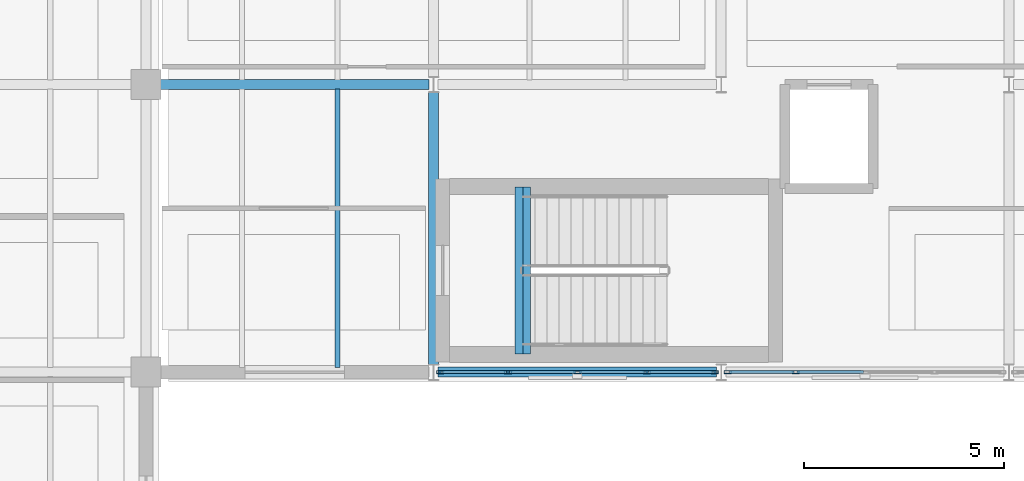
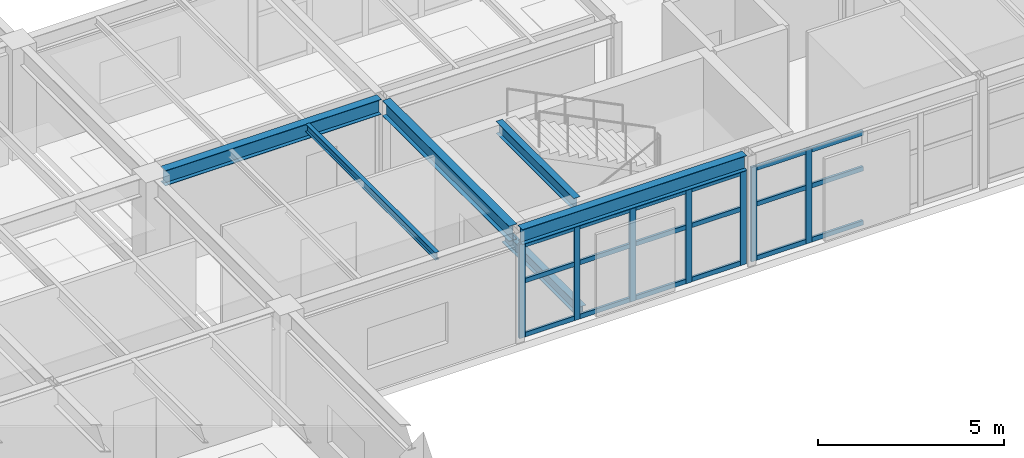
# One storey, part 14 of 48: 25 members, 6 beams, 2 elements without a shape of their own.
"""IFC4 building model written with IfcOpenShell, lengths in metres."""

from ifc_helpers import new_model, si_unit, direction, frame, origin, origin_2d, place, context, subcontext, project, spatial, hollow_rectangle, i_section, extrude, material, layer, layer_set, material_profile, profile_set, type_object, element, aggregate, save


model = new_model("IFC4")

# Units and contexts
model_context = context("Model", 3, precision=1e-05, world=origin(), true_north=direction((0.0, 1.0)))
body_context = subcontext(model_context, "Body", "Model", "MODEL_VIEW")
ifc_project = project(units=[si_unit("LENGTHUNIT", "METRE"), si_unit("AREAUNIT", "SQUARE_METRE"), si_unit("VOLUMEUNIT", "CUBIC_METRE"), si_unit("PLANEANGLEUNIT", "RADIAN"), si_unit("MASSUNIT", "GRAM", prefix="KILO")], contexts=[model_context])

# Site, building, storey
site_placement = place(None, origin())
site = spatial("IfcSite", under=ifc_project, at=site_placement, CompositionType="ELEMENT")
building_placement = place(site_placement, origin())
building = spatial("IfcBuilding", under=site, at=building_placement, Name="Kandorven Conservatory and Botanical Research Centre", CompositionType="ELEMENT")
storey_placement = place(building_placement, frame((0.0, 0.0, 13.199951171875)))
storey = spatial("IfcBuildingStorey", under=building, at=storey_placement, Name="L03", CompositionType="ELEMENT", Elevation=13.199951171875)

# Beams
ifc_material_1 = material(Name="Steel S355 (IS 2062 E350)", Category="steel")
ifc_material_profile_1 = material_profile(ifc_material_1, i_section(OverallWidth=0.25, OverallDepth=0.5, WebThickness=0.010009765625, FlangeThickness=0.0146484375, at=origin_2d()))
ifc_profile_set_1 = profile_set([ifc_material_profile_1], Name="Steel S355 (IS 2062 E350)")
beam_type_1 = type_object("IfcBeamType", Name="Beam_FG-02", PredefinedType="USERDEFINED", material=ifc_profile_set_1)
beam_1_placement = place(storey_placement, frame((49.31494140625, 13.199951171875, 3.375), z_axis=(1.0, 0.0, 0.0), x_axis=(0.0, 1.0, 0.0)))
element("IfcBeam", 1, at=beam_1_placement, inside=storey, type_object=beam_type_1, Name="Primary girder FG-02 VIS L03", ObjectType="GIRDER", PredefinedType="USERDEFINED", context=body_context, shape_type="SweptSolid", body=[
    extrude(i_section(OverallWidth=0.25, OverallDepth=0.5, WebThickness=0.010009765625, FlangeThickness=0.0146484375, at=origin_2d()), origin(), (0.0, 0.0, 1.0), 6.969970703125),
])
beam_2_placement = place(storey_placement, frame((42.364990234375, 20.39990234375, 3.375), z_axis=(1.0, 0.0, 0.0), x_axis=(0.0, 1.0, 0.0)))
element("IfcBeam", 2, at=beam_2_placement, inside=storey, type_object=beam_type_1, Name="Primary girder FG-02 VIS L03", ObjectType="GIRDER", PredefinedType="USERDEFINED", context=body_context, shape_type="SweptSolid", body=[
    extrude(i_section(OverallWidth=0.25, OverallDepth=0.5, WebThickness=0.010009765625, FlangeThickness=0.0146484375, at=origin_2d()), origin(), (0.0, 0.0, 1.0), 6.719970703125),
])
beam_3_placement = place(storey_placement, frame((49.199951171875, 13.389892578125, 3.375), z_axis=(0.0, 1.0, 0.0), x_axis=(-1.0, 0.0, 0.0)))
element("IfcBeam", 3, at=beam_3_placement, inside=storey, type_object=beam_type_1, Name="Primary girder FG-02 VIS L03", ObjectType="GIRDER", PredefinedType="USERDEFINED", context=body_context, shape_type="SweptSolid", body=[
    extrude(i_section(OverallWidth=0.25, OverallDepth=0.5, WebThickness=0.010009765625, FlangeThickness=0.0146484375, at=origin_2d()), origin(), (0.0, 0.0, 1.0), 6.820068359375),
])
ifc_material_2 = material(Name="Steel S355 (IS 2062 E350)", Category="steel")
ifc_material_profile_2 = material_profile(ifc_material_2, i_section(OverallWidth=0.199951171875, OverallDepth=0.39990234375, WebThickness=0.008544921875, FlangeThickness=0.012939453125, at=origin_2d()))
ifc_profile_set_2 = profile_set([ifc_material_profile_2], Name="Steel S355 (IS 2062 E350)")
beam_type_2 = type_object("IfcBeamType", Name="Beam_FG-03", PredefinedType="USERDEFINED", material=ifc_profile_set_2)
for number, where, z_axis, x_axis, name in (
    (4, (51.52001953125, 13.64990234375, -0.199951171875), (0.0, 1.0, 0.0), (-1.0, 0.0, 0.0), "Stair well bottom trimmer girder FG-03 ST-V3A L03"),
    (5, (51.340087890625, 13.64990234375, 3.425048828125), (0.0, 1.0, 0.0), (-1.0, 0.0, 0.0), "Stair well top header girder FG-03 ST-V3A L03"),
):
    element("IfcBeam", number, at=place(storey_placement, frame(where, z_axis=z_axis, x_axis=x_axis)), inside=storey, type_object=beam_type_2, Name=name, ObjectType="GIRDER", PredefinedType="USERDEFINED", context=body_context, shape_type="SweptSolid", body=[
        extrude(i_section(OverallWidth=0.199951171875, OverallDepth=0.39990234375, WebThickness=0.008544921875, FlangeThickness=0.012939453125, at=origin_2d()), origin(), (0.0, 0.0, 1.0), 4.190185546875),
    ])
ifc_material_3 = material(Name="Steel S355 (IS 2062 E350)", Category="steel")
ifc_material_profile_3 = material_profile(ifc_material_3, i_section(OverallWidth=0.125, OverallDepth=0.25, WebThickness=0.0068359375, FlangeThickness=0.012451171875, at=origin_2d()))
ifc_profile_set_3 = profile_set([ifc_material_profile_3], Name="Steel S355 (IS 2062 E350)")
beam_type_3 = type_object("IfcBeamType", Name="Beam_RJ-01", PredefinedType="JOIST", material=ifc_profile_set_3)
beam_4_placement = place(storey_placement, frame((46.800048828125, 13.31005859375, 3.5), z_axis=(0.0, 1.0, 0.0), x_axis=(-1.0, 0.0, 0.0)))
element("IfcBeam", 6, at=beam_4_placement, inside=storey, type_object=beam_type_3, Name="Composite secondary beam RJ-01 VIS L03", PredefinedType="JOIST", context=body_context, shape_type="SweptSolid", body=[
    extrude(i_section(OverallWidth=0.125, OverallDepth=0.25, WebThickness=0.0068359375, FlangeThickness=0.012451171875, at=origin_2d()), origin(), (0.0, 0.0, 1.0), 6.97998046875),
])

# Curtain wall, members
ifc_material_4 = material(Name="Bronze anodised thermally broken aluminium", Category="aluminium")
ifc_layer = layer(ifc_material_4, 0.179931640625)
ifc_layer_set = layer_set([ifc_layer], Name="Bronze anodised thermally broken aluminium")
curtain_wall_type = type_object("IfcCurtainWallType", Name="CW_Unitised", PredefinedType="USERDEFINED", material=ifc_layer_set)
curtain_wall_1_placement = place(storey_placement, origin())
curtain_wall_1 = element("IfcCurtainWall", 7, at=curtain_wall_1_placement, inside=storey, type_object=curtain_wall_type, Name="Visitor wing unitised curtain wall CW-VIS-S-L03-2", ObjectType="UNITISED GLAZING", PredefinedType="USERDEFINED")
ifc_material_5 = material(Name="Bronze anodised thermally broken aluminium", Category="aluminium")
ifc_material_profile_4 = material_profile(ifc_material_5, hollow_rectangle(XDim=0.080078125, YDim=0.179931640625, WallThickness=0.006103515625, at=origin_2d()))
ifc_profile_set_4 = profile_set([ifc_material_profile_4], Name="Bronze anodised thermally broken aluminium")
member_type_1 = type_object("IfcMemberType", Name="CW_Mullion", PredefinedType="MULLION", material=ifc_profile_set_4)
member_1_placement = place(storey_placement, frame((49.364990234375, 13.199951171875, 0.0), z_axis=(0.0, 0.0, 1.0), x_axis=(0.0, 1.0, 0.0)))
member_1 = element("IfcMember", 8, at=member_1_placement, type_object=member_type_1, Name="CW-01 mullion 1", PredefinedType="MULLION", context=body_context, shape_type="SweptSolid", body=[
    extrude(hollow_rectangle(XDim=0.080078125, YDim=0.179931640625, WallThickness=0.006103515625, at=origin_2d()), origin(), (0.0, 0.0, 1.0), 3.10009765625),
])
member_2_placement = place(storey_placement, frame((51.0625, 13.199951171875, 0.0), z_axis=(0.0, 0.0, 1.0), x_axis=(0.0, 1.0, 0.0)))
member_2 = element("IfcMember", 9, at=member_2_placement, type_object=member_type_1, Name="CW-01 mullion 2", PredefinedType="MULLION", context=body_context, shape_type="SweptSolid", body=[
    extrude(hollow_rectangle(XDim=0.080078125, YDim=0.179931640625, WallThickness=0.006103515625, at=origin_2d()), origin(), (0.0, 0.0, 1.0), 3.10009765625),
])
member_3_placement = place(storey_placement, frame((52.800048828125, 13.199951171875, 0.0), z_axis=(0.0, 0.0, 1.0), x_axis=(0.0, 1.0, 0.0)))
member_3 = element("IfcMember", 10, at=member_3_placement, type_object=member_type_1, Name="CW-01 mullion 3", PredefinedType="MULLION", context=body_context, shape_type="SweptSolid", body=[
    extrude(hollow_rectangle(XDim=0.080078125, YDim=0.179931640625, WallThickness=0.006103515625, at=origin_2d()), origin(), (0.0, 0.0, 1.0), 3.10009765625),
])
member_4_placement = place(storey_placement, frame((54.53759765625, 13.199951171875, 0.0), z_axis=(0.0, 0.0, 1.0), x_axis=(0.0, 1.0, 0.0)))
member_4 = element("IfcMember", 11, at=member_4_placement, type_object=member_type_1, Name="CW-01 mullion 4", PredefinedType="MULLION", context=body_context, shape_type="SweptSolid", body=[
    extrude(hollow_rectangle(XDim=0.080078125, YDim=0.179931640625, WallThickness=0.006103515625, at=origin_2d()), origin(), (0.0, 0.0, 1.0), 3.10009765625),
])
member_5_placement = place(storey_placement, frame((56.235107421875, 13.199951171875, 0.0), z_axis=(0.0, 0.0, 1.0), x_axis=(0.0, 1.0, 0.0)))
member_5 = element("IfcMember", 12, at=member_5_placement, type_object=member_type_1, Name="CW-01 mullion 5", PredefinedType="MULLION", context=body_context, shape_type="SweptSolid", body=[
    extrude(hollow_rectangle(XDim=0.080078125, YDim=0.179931640625, WallThickness=0.006103515625, at=origin_2d()), origin(), (0.0, 0.0, 1.0), 3.10009765625),
])

curtain_wall_2_placement = place(storey_placement, origin())
curtain_wall_2 = element("IfcCurtainWall", 13, at=curtain_wall_2_placement, inside=storey, type_object=curtain_wall_type, Name="Visitor wing unitised curtain wall CW-VIS-S-L03-3", ObjectType="UNITISED GLAZING", PredefinedType="USERDEFINED")
member_6_placement = place(storey_placement, frame((56.56494140625, 13.199951171875, 0.0), z_axis=(0.0, 0.0, 1.0), x_axis=(0.0, 1.0, 0.0)))
member_6 = element("IfcMember", 14, at=member_6_placement, type_object=member_type_1, Name="CW-01 mullion 1", PredefinedType="MULLION", context=body_context, shape_type="SweptSolid", body=[
    extrude(hollow_rectangle(XDim=0.080078125, YDim=0.179931640625, WallThickness=0.006103515625, at=origin_2d()), origin(), (0.0, 0.0, 1.0), 3.10009765625),
])
member_7_placement = place(storey_placement, frame((58.262451171875, 13.199951171875, 0.0), z_axis=(0.0, 0.0, 1.0), x_axis=(0.0, 1.0, 0.0)))
member_7 = element("IfcMember", 15, at=member_7_placement, type_object=member_type_1, Name="CW-01 mullion 2", PredefinedType="MULLION", context=body_context, shape_type="SweptSolid", body=[
    extrude(hollow_rectangle(XDim=0.080078125, YDim=0.179931640625, WallThickness=0.006103515625, at=origin_2d()), origin(), (0.0, 0.0, 1.0), 3.10009765625),
])

# Member
ifc_material_6 = material(Name="Bronze anodised thermally broken aluminium", Category="aluminium")
ifc_material_profile_5 = material_profile(ifc_material_6, hollow_rectangle(XDim=0.074951171875, YDim=0.14990234375, WallThickness=0.006103515625, at=origin_2d()))
ifc_profile_set_5 = profile_set([ifc_material_profile_5], Name="Bronze anodised thermally broken aluminium")
member_type_2 = type_object("IfcMemberType", Name="CW_Transom", PredefinedType="USERDEFINED", material=ifc_profile_set_5)
member_8_placement = place(storey_placement, frame((49.405029296875, 13.199951171875, 0.074951171875), z_axis=(1.0, 0.0, 0.0), x_axis=(0.0, 1.0, 0.0)))
member_8 = element("IfcMember", 16, at=member_8_placement, type_object=member_type_2, Name="CW-01 transom 1.1", ObjectType="TRANSOM", PredefinedType="USERDEFINED", context=body_context, shape_type="SweptSolid", body=[
    extrude(hollow_rectangle(XDim=0.074951171875, YDim=0.14990234375, WallThickness=0.006103515625, at=origin_2d()), origin(), (0.0, 0.0, 1.0), 1.617431640625),
])

member_9_placement = place(storey_placement, frame((49.405029296875, 13.199951171875, 1.85009765625), z_axis=(1.0, 0.0, 0.0), x_axis=(0.0, 1.0, 0.0)))
member_9 = element("IfcMember", 17, at=member_9_placement, type_object=member_type_2, Name="CW-01 transom 1.2", ObjectType="TRANSOM", PredefinedType="USERDEFINED", context=body_context, shape_type="SweptSolid", body=[
    extrude(hollow_rectangle(XDim=0.074951171875, YDim=0.14990234375, WallThickness=0.006103515625, at=origin_2d()), origin(), (0.0, 0.0, 1.0), 1.617431640625),
])

member_10_placement = place(storey_placement, frame((49.405029296875, 13.199951171875, 3.025146484375), z_axis=(1.0, 0.0, 0.0), x_axis=(0.0, 1.0, 0.0)))
member_10 = element("IfcMember", 18, at=member_10_placement, type_object=member_type_2, Name="CW-01 transom 1.3", ObjectType="TRANSOM", PredefinedType="USERDEFINED", context=body_context, shape_type="SweptSolid", body=[
    extrude(hollow_rectangle(XDim=0.074951171875, YDim=0.14990234375, WallThickness=0.006103515625, at=origin_2d()), origin(), (0.0, 0.0, 1.0), 1.617431640625),
])

member_11_placement = place(storey_placement, frame((51.1025390625, 13.199951171875, 0.074951171875), z_axis=(1.0, 0.0, 0.0), x_axis=(0.0, 1.0, 0.0)))
member_11 = element("IfcMember", 19, at=member_11_placement, type_object=member_type_2, Name="CW-01 transom 2.1", ObjectType="TRANSOM", PredefinedType="USERDEFINED", context=body_context, shape_type="SweptSolid", body=[
    extrude(hollow_rectangle(XDim=0.074951171875, YDim=0.14990234375, WallThickness=0.006103515625, at=origin_2d()), origin(), (0.0, 0.0, 1.0), 1.657470703125),
])

member_12_placement = place(storey_placement, frame((51.1025390625, 13.199951171875, 1.85009765625), z_axis=(1.0, 0.0, 0.0), x_axis=(0.0, 1.0, 0.0)))
member_12 = element("IfcMember", 20, at=member_12_placement, type_object=member_type_2, Name="CW-01 transom 2.2", ObjectType="TRANSOM", PredefinedType="USERDEFINED", context=body_context, shape_type="SweptSolid", body=[
    extrude(hollow_rectangle(XDim=0.074951171875, YDim=0.14990234375, WallThickness=0.006103515625, at=origin_2d()), origin(), (0.0, 0.0, 1.0), 1.657470703125),
])

member_13_placement = place(storey_placement, frame((51.1025390625, 13.199951171875, 3.025146484375), z_axis=(1.0, 0.0, 0.0), x_axis=(0.0, 1.0, 0.0)))
member_13 = element("IfcMember", 21, at=member_13_placement, type_object=member_type_2, Name="CW-01 transom 2.3", ObjectType="TRANSOM", PredefinedType="USERDEFINED", context=body_context, shape_type="SweptSolid", body=[
    extrude(hollow_rectangle(XDim=0.074951171875, YDim=0.14990234375, WallThickness=0.006103515625, at=origin_2d()), origin(), (0.0, 0.0, 1.0), 1.657470703125),
])

member_14_placement = place(storey_placement, frame((52.840087890625, 13.199951171875, 0.074951171875), z_axis=(1.0, 0.0, 0.0), x_axis=(0.0, 1.0, 0.0)))
member_14 = element("IfcMember", 22, at=member_14_placement, type_object=member_type_2, Name="CW-01 transom 3.1", ObjectType="TRANSOM", PredefinedType="USERDEFINED", context=body_context, shape_type="SweptSolid", body=[
    extrude(hollow_rectangle(XDim=0.074951171875, YDim=0.14990234375, WallThickness=0.006103515625, at=origin_2d()), origin(), (0.0, 0.0, 1.0), 1.657470703125),
])

member_15_placement = place(storey_placement, frame((52.840087890625, 13.199951171875, 1.85009765625), z_axis=(1.0, 0.0, 0.0), x_axis=(0.0, 1.0, 0.0)))
member_15 = element("IfcMember", 23, at=member_15_placement, type_object=member_type_2, Name="CW-01 transom 3.2", ObjectType="TRANSOM", PredefinedType="USERDEFINED", context=body_context, shape_type="SweptSolid", body=[
    extrude(hollow_rectangle(XDim=0.074951171875, YDim=0.14990234375, WallThickness=0.006103515625, at=origin_2d()), origin(), (0.0, 0.0, 1.0), 1.657470703125),
])

member_16_placement = place(storey_placement, frame((52.840087890625, 13.199951171875, 3.025146484375), z_axis=(1.0, 0.0, 0.0), x_axis=(0.0, 1.0, 0.0)))
member_16 = element("IfcMember", 24, at=member_16_placement, type_object=member_type_2, Name="CW-01 transom 3.3", ObjectType="TRANSOM", PredefinedType="USERDEFINED", context=body_context, shape_type="SweptSolid", body=[
    extrude(hollow_rectangle(XDim=0.074951171875, YDim=0.14990234375, WallThickness=0.006103515625, at=origin_2d()), origin(), (0.0, 0.0, 1.0), 1.657470703125),
])

member_17_placement = place(storey_placement, frame((54.577392578125, 13.199951171875, 0.074951171875), z_axis=(1.0, 0.0, 0.0), x_axis=(0.0, 1.0, 0.0)))
member_17 = element("IfcMember", 25, at=member_17_placement, type_object=member_type_2, Name="CW-01 transom 4.1", ObjectType="TRANSOM", PredefinedType="USERDEFINED", context=body_context, shape_type="SweptSolid", body=[
    extrude(hollow_rectangle(XDim=0.074951171875, YDim=0.14990234375, WallThickness=0.006103515625, at=origin_2d()), origin(), (0.0, 0.0, 1.0), 1.61767578125),
])

member_18_placement = place(storey_placement, frame((54.577392578125, 13.199951171875, 1.85009765625), z_axis=(1.0, 0.0, 0.0), x_axis=(0.0, 1.0, 0.0)))
member_18 = element("IfcMember", 26, at=member_18_placement, type_object=member_type_2, Name="CW-01 transom 4.2", ObjectType="TRANSOM", PredefinedType="USERDEFINED", context=body_context, shape_type="SweptSolid", body=[
    extrude(hollow_rectangle(XDim=0.074951171875, YDim=0.14990234375, WallThickness=0.006103515625, at=origin_2d()), origin(), (0.0, 0.0, 1.0), 1.61767578125),
])

member_19_placement = place(storey_placement, frame((54.577392578125, 13.199951171875, 3.025146484375), z_axis=(1.0, 0.0, 0.0), x_axis=(0.0, 1.0, 0.0)))
member_19 = element("IfcMember", 27, at=member_19_placement, type_object=member_type_2, Name="CW-01 transom 4.3", ObjectType="TRANSOM", PredefinedType="USERDEFINED", context=body_context, shape_type="SweptSolid", body=[
    extrude(hollow_rectangle(XDim=0.074951171875, YDim=0.14990234375, WallThickness=0.006103515625, at=origin_2d()), origin(), (0.0, 0.0, 1.0), 1.61767578125),
])

aggregate(curtain_wall_1, [member_1, member_2, member_3, member_4, member_5, member_8, member_9, member_10, member_11, member_12, member_13, member_14, member_15, member_16, member_17, member_18, member_19])

member_20_placement = place(storey_placement, frame((56.60498046875, 13.199951171875, 0.074951171875), z_axis=(1.0, 0.0, 0.0), x_axis=(0.0, 1.0, 0.0)))
member_20 = element("IfcMember", 28, at=member_20_placement, type_object=member_type_2, Name="CW-01 transom 1.1", ObjectType="TRANSOM", PredefinedType="USERDEFINED", context=body_context, shape_type="SweptSolid", body=[
    extrude(hollow_rectangle(XDim=0.074951171875, YDim=0.14990234375, WallThickness=0.006103515625, at=origin_2d()), origin(), (0.0, 0.0, 1.0), 1.617431640625),
])

member_21_placement = place(storey_placement, frame((56.60498046875, 13.199951171875, 1.85009765625), z_axis=(1.0, 0.0, 0.0), x_axis=(0.0, 1.0, 0.0)))
member_21 = element("IfcMember", 29, at=member_21_placement, type_object=member_type_2, Name="CW-01 transom 1.2", ObjectType="TRANSOM", PredefinedType="USERDEFINED", context=body_context, shape_type="SweptSolid", body=[
    extrude(hollow_rectangle(XDim=0.074951171875, YDim=0.14990234375, WallThickness=0.006103515625, at=origin_2d()), origin(), (0.0, 0.0, 1.0), 1.617431640625),
])

member_22_placement = place(storey_placement, frame((56.60498046875, 13.199951171875, 3.025146484375), z_axis=(1.0, 0.0, 0.0), x_axis=(0.0, 1.0, 0.0)))
member_22 = element("IfcMember", 30, at=member_22_placement, type_object=member_type_2, Name="CW-01 transom 1.3", ObjectType="TRANSOM", PredefinedType="USERDEFINED", context=body_context, shape_type="SweptSolid", body=[
    extrude(hollow_rectangle(XDim=0.074951171875, YDim=0.14990234375, WallThickness=0.006103515625, at=origin_2d()), origin(), (0.0, 0.0, 1.0), 1.617431640625),
])

member_23_placement = place(storey_placement, frame((58.302490234375, 13.199951171875, 0.074951171875), z_axis=(1.0, 0.0, 0.0), x_axis=(0.0, 1.0, 0.0)))
member_23 = element("IfcMember", 31, at=member_23_placement, type_object=member_type_2, Name="CW-01 transom 2.1", ObjectType="TRANSOM", PredefinedType="USERDEFINED", context=body_context, shape_type="SweptSolid", body=[
    extrude(hollow_rectangle(XDim=0.074951171875, YDim=0.14990234375, WallThickness=0.006103515625, at=origin_2d()), origin(), (0.0, 0.0, 1.0), 1.657470703125),
])

member_24_placement = place(storey_placement, frame((58.302490234375, 13.199951171875, 1.85009765625), z_axis=(1.0, 0.0, 0.0), x_axis=(0.0, 1.0, 0.0)))
member_24 = element("IfcMember", 32, at=member_24_placement, type_object=member_type_2, Name="CW-01 transom 2.2", ObjectType="TRANSOM", PredefinedType="USERDEFINED", context=body_context, shape_type="SweptSolid", body=[
    extrude(hollow_rectangle(XDim=0.074951171875, YDim=0.14990234375, WallThickness=0.006103515625, at=origin_2d()), origin(), (0.0, 0.0, 1.0), 1.657470703125),
])

member_25_placement = place(storey_placement, frame((58.302490234375, 13.199951171875, 3.025146484375), z_axis=(1.0, 0.0, 0.0), x_axis=(0.0, 1.0, 0.0)))
member_25 = element("IfcMember", 33, at=member_25_placement, type_object=member_type_2, Name="CW-01 transom 2.3", ObjectType="TRANSOM", PredefinedType="USERDEFINED", context=body_context, shape_type="SweptSolid", body=[
    extrude(hollow_rectangle(XDim=0.074951171875, YDim=0.14990234375, WallThickness=0.006103515625, at=origin_2d()), origin(), (0.0, 0.0, 1.0), 1.657470703125),
])

aggregate(curtain_wall_2, [member_6, member_7, member_20, member_21, member_22, member_23, member_24, member_25])

save(model, "model.ifc")
